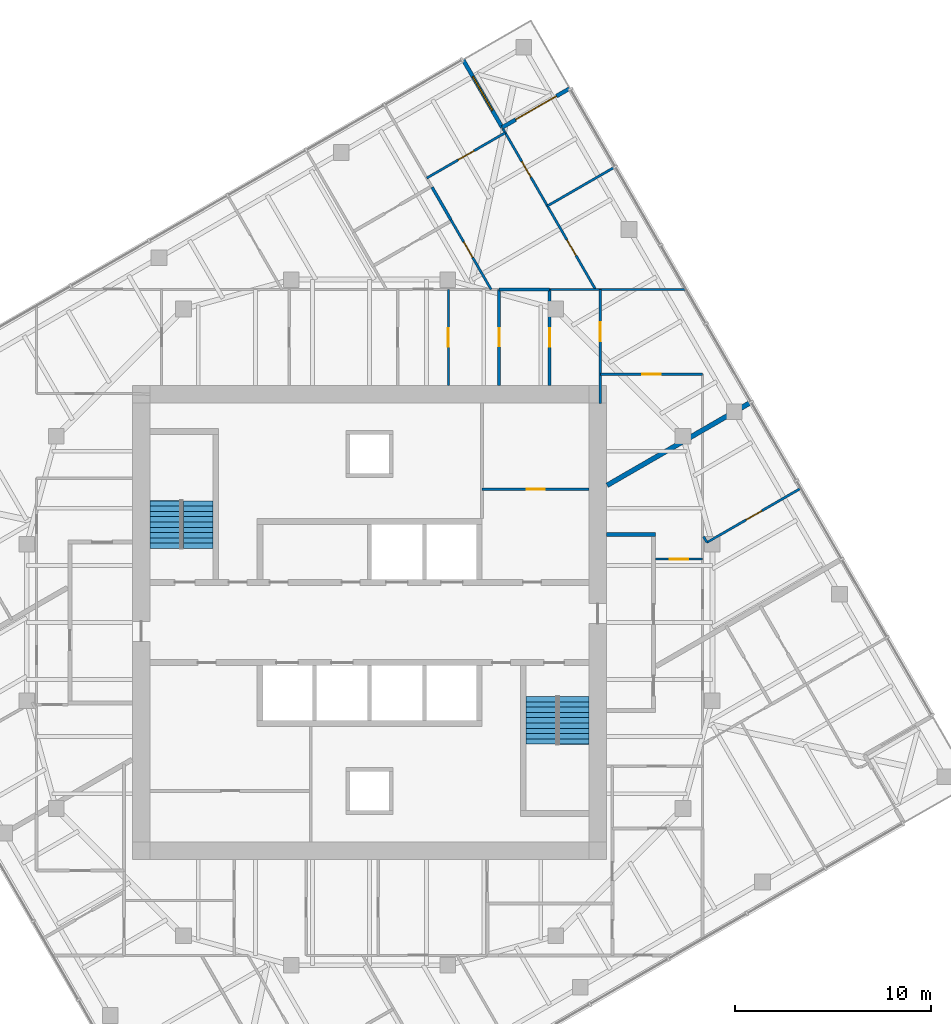
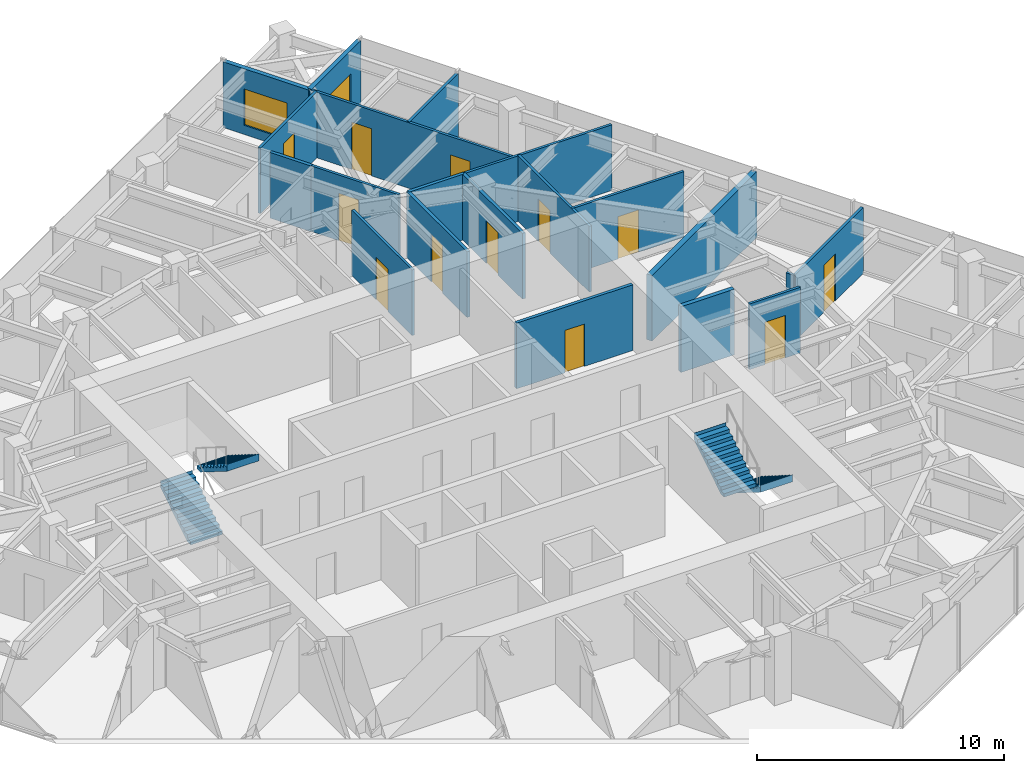
# One storey, part 11 of 12: 20 walls, 13 doors, 4 stair flights, 1 window, 14 openings, 2 elements without a shape of their own.
"""IFC4 building model written with IfcOpenShell, lengths in metres."""

from ifc_helpers import new_model, si_unit, direction, frame, frame_2d, origin, place, context, subcontext, project, spatial, polyline, rectangle, outline, extrude, material, layer, layer_set, type_object, element, fill, aggregate, save


model = new_model("IFC4")

# Units and contexts
model_context = context("Model", 3, precision=1e-05, world=origin(), true_north=direction((0.0, 1.0)))
body_context = subcontext(model_context, "Body", "Model", "MODEL_VIEW")
ifc_project = project(units=[si_unit("LENGTHUNIT", "METRE"), si_unit("AREAUNIT", "SQUARE_METRE"), si_unit("VOLUMEUNIT", "CUBIC_METRE"), si_unit("PLANEANGLEUNIT", "RADIAN"), si_unit("MASSUNIT", "GRAM", prefix="KILO")], contexts=[model_context])

# Site, building, storey
site_placement = place(None, origin())
site = spatial("IfcSite", under=ifc_project, at=site_placement, CompositionType="ELEMENT")
building_placement = place(site_placement, origin())
building = spatial("IfcBuilding", under=site, at=building_placement, Name="Torsade Residences", CompositionType="ELEMENT")
storey_placement = place(building_placement, frame((0.0, 0.0, 211.60009765625)))
storey = spatial("IfcBuildingStorey", under=building, at=storey_placement, Name="L58", CompositionType="ELEMENT", Elevation=211.60009765625)

# Wall
ifc_material_1 = material(Name="Plasterboard on steel stud", Category="steel")
ifc_layer_1 = layer(ifc_material_1, 0.199951171875)
ifc_layer_set_1 = layer_set([ifc_layer_1], Name="Plasterboard on steel stud")
wall_type_1 = type_object("IfcWallType", Name="CORRIDOR WALL 200", PredefinedType="PARTITIONING", material=ifc_layer_set_1)
wall_1_placement = place(storey_placement, frame((52.10009765625, 34.5, 0.0), z_axis=(0.0, 0.0, 1.0), x_axis=(1.0, 0.0, 0.0)))
element("IfcWall", 1, at=wall_1_placement, inside=storey, type_object=wall_type_1, Name="Corridor wall L58", PredefinedType="PARTITIONING", context=body_context, shape_type="SweptSolid", body=[
    extrude(rectangle(XDim=2.5, YDim=0.199951171875, at=frame_2d((1.25, 0.0))), origin(), (0.0, 0.0, 1.0), 3.25),
])

# Wall, opening, door
ifc_material_2 = material(Name="Plasterboard on steel stud", Category="steel")
ifc_layer_2 = layer(ifc_material_2, 0.1201171875)
ifc_layer_set_2 = layer_set([ifc_layer_2], Name="Plasterboard on steel stud")
wall_type_2 = type_object("IfcWallType", Name="PARTITION 120", PredefinedType="PARTITIONING", material=ifc_layer_set_2)
wall_2_placement = place(storey_placement, frame((54.60009765625, 33.237060546875, 0.0), z_axis=(0.0, 0.0, 1.0), x_axis=(1.0, 0.0, 0.0)))
wall_2 = element("IfcWall", 2, at=wall_2_placement, inside=storey, type_object=wall_type_2, Name="Partition L58", PredefinedType="PARTITIONING", context=body_context, shape_type="SweptSolid", body=[
    extrude(rectangle(XDim=2.39990234375, YDim=0.1201171875, at=frame_2d((1.199951171875, 0.0))), origin(), (0.0, 0.0, 1.0), 3.25),
])
opening_1_placement = place(wall_2_placement, frame((0.719970703125, 0.0, 0.0)))
opening_1 = element("IfcOpeningElement", 3, at=opening_1_placement, cuts=wall_2, Name="Opening D05", PredefinedType="OPENING", context=body_context, shape_type="SweptSolid", body=[
    extrude(rectangle(XDim=0.9599609375, YDim=2.10009765625, at=frame_2d((0.47998046875, 1.050048828125))), frame((0.0, 0.070068359375, 0.0), z_axis=(0.0, -1.0, 0.0), x_axis=(1.0, 0.0, 0.0)), (0.0, 0.0, 1.0), 0.14013671875),
])
ifc_material_3 = material(Name="Hollow-core timber door in a steel cavity frame", Category="steel")
door_type_1 = type_object("IfcDoorType", Name="BATHROOM CAVITY SLIDING DOOR 960", OperationType="SLIDING_TO_LEFT", PredefinedType="DOOR", material=ifc_material_3)
door_1_placement = place(opening_1_placement, origin())
door_1 = element("IfcDoor", 4, at=door_1_placement, inside=storey, type_object=door_type_1, Name="Door Kitchen and dining to Bathroom", OperationType="SLIDING_TO_LEFT", OverallHeight=2.10009765625, OverallWidth=0.9599609375, PredefinedType="DOOR", context=body_context, shape_type="SweptSolid", body=[
    extrude(rectangle(XDim=0.9599609375, YDim=2.10009765625, at=frame_2d((0.47998046875, 1.050048828125))), frame((0.0, 0.02490234375, 0.0), z_axis=(0.0, -1.0, 0.0), x_axis=(1.0, 0.0, 0.0)), (0.0, 0.0, 1.0), 0.050048828125),
])
fill(opening_1, door_1)

# Wall
wall_3_placement = place(storey_placement, frame((57.050048828125, 34.387939453125, 0.0), z_axis=(0.0, 0.0, 1.0), x_axis=(0.49996389635, -0.866046247233, 0.0)))
element("IfcWall", 5, at=wall_3_placement, inside=storey, type_object=wall_type_2, Name="Partition L58", PredefinedType="PARTITIONING", context=body_context, shape_type="SweptSolid", body=[
    extrude(rectangle(XDim=0.35009765625, YDim=0.1201171875, at=frame_2d((0.175048828125, 0.0))), origin(), (0.0, 0.0, 1.0), 3.25),
])

# Wall, opening, door
wall_4_placement = place(storey_placement, frame((57.22509765625, 34.084716796875, 0.0), z_axis=(0.0, 0.0, 1.0), x_axis=(0.866019274569, 0.500010615962, 0.0)))
wall_4 = element("IfcWall", 6, at=wall_4_placement, inside=storey, type_object=wall_type_2, Name="Partition L58", PredefinedType="PARTITIONING", context=body_context, shape_type="SweptSolid", body=[
    extrude(rectangle(XDim=5.50048828125, YDim=0.1201171875, at=frame_2d((2.750244140625, 0.0))), origin(), (0.0, 0.0, 1.0), 3.25),
])
opening_2_placement = place(wall_4_placement, frame((2.31005859375, 0.0, 0.0)))
opening_2 = element("IfcOpeningElement", 7, at=opening_2_placement, cuts=wall_4, Name="Opening D02", PredefinedType="OPENING", context=body_context, shape_type="SweptSolid", body=[
    extrude(rectangle(XDim=0.919921875, YDim=2.340087890625, at=frame_2d((0.4599609375, 1.169921875))), frame((0.0, 0.070068359375, 0.0), z_axis=(0.0, -1.0, 0.0), x_axis=(1.0, 0.0, 0.0)), (0.0, 0.0, 1.0), 0.14013671875),
])
ifc_material_4 = material(Name="Hollow-core timber door", Category="wood")
door_type_2 = type_object("IfcDoorType", Name="INTERNAL DOOR 920x2340", OperationType="NOTDEFINED", PredefinedType="DOOR", material=ifc_material_4)
door_2_placement = place(opening_2_placement, origin())
door_2 = element("IfcDoor", 8, at=door_2_placement, inside=storey, type_object=door_type_2, Name="Door Living room to Bedroom 1", OperationType="SINGLE_SWING_LEFT", OverallHeight=2.340087890625, OverallWidth=0.919921875, PredefinedType="DOOR", context=body_context, shape_type="SweptSolid", body=[
    extrude(rectangle(XDim=0.919921875, YDim=2.340087890625, at=frame_2d((0.4599609375, 1.169921875))), frame((0.0, 0.02490234375, 0.0), z_axis=(0.0, -1.0, 0.0), x_axis=(1.0, 0.0, 0.0)), (0.0, 0.0, 1.0), 0.050048828125),
])
fill(opening_2, door_2)

wall_5_placement = place(storey_placement, frame((51.78173828125, 42.67578125, 0.0), z_axis=(0.0, 0.0, 1.0), x_axis=(1.0, 0.0, 0.0)))
wall_5 = element("IfcWall", 9, at=wall_5_placement, inside=storey, type_object=wall_type_2, Name="Partition L58", PredefinedType="PARTITIONING", context=body_context, shape_type="SweptSolid", body=[
    extrude(rectangle(XDim=5.21826171875, YDim=0.1201171875, at=frame_2d((2.609130859375, 0.0))), origin(), (0.0, 0.0, 1.0), 3.25),
])
opening_3_placement = place(wall_5_placement, frame((2.129150390625, 0.0, 0.0)))
opening_3 = element("IfcOpeningElement", 10, at=opening_3_placement, cuts=wall_5, Name="Opening D05", PredefinedType="OPENING", context=body_context, shape_type="SweptSolid", body=[
    extrude(rectangle(XDim=0.9599609375, YDim=2.10009765625, at=frame_2d((0.47998046875, 1.050048828125))), frame((0.0, 0.070068359375, 0.0), z_axis=(0.0, -1.0, 0.0), x_axis=(1.0, 0.0, 0.0)), (0.0, 0.0, 1.0), 0.14013671875),
])
door_3_placement = place(opening_3_placement, origin())
door_3 = element("IfcDoor", 11, at=door_3_placement, inside=storey, type_object=door_type_1, Name="Door Dressing room to Bathroom", OperationType="SLIDING_TO_LEFT", OverallHeight=2.10009765625, OverallWidth=0.9599609375, PredefinedType="DOOR", context=body_context, shape_type="SweptSolid", body=[
    extrude(rectangle(XDim=0.9599609375, YDim=2.10009765625, at=frame_2d((0.47998046875, 1.050048828125))), frame((0.0, 0.02490234375, 0.0), z_axis=(0.0, -1.0, 0.0), x_axis=(1.0, 0.0, 0.0)), (0.0, 0.0, 1.0), 0.050048828125),
])
fill(opening_3, door_3)

wall_6_placement = place(storey_placement, frame((51.78173828125, 41.179931640625, 0.0), z_axis=(0.0, 0.0, 1.0), x_axis=(0.0, 1.0, 0.0)))
wall_6 = element("IfcWall", 12, at=wall_6_placement, inside=storey, type_object=wall_type_2, Name="Partition L58", PredefinedType="PARTITIONING", context=body_context, shape_type="SweptSolid", body=[
    extrude(rectangle(XDim=5.820068359375, YDim=0.1201171875, at=frame_2d((2.91015625, 0.0))), origin(), (0.0, 0.0, 1.0), 3.25),
])
opening_4_placement = place(wall_6_placement, frame((3.177978515625, 0.0, 0.0)))
opening_4 = element("IfcOpeningElement", 13, at=opening_4_placement, cuts=wall_6, Name="Opening D05", PredefinedType="OPENING", context=body_context, shape_type="SweptSolid", body=[
    extrude(rectangle(XDim=0.9599609375, YDim=2.10009765625, at=frame_2d((0.47998046875, 1.050048828125))), frame((0.0, 0.070068359375, 0.0), z_axis=(0.0, -1.0, 0.0), x_axis=(1.0, 0.0, 0.0)), (0.0, 0.0, 1.0), 0.14013671875),
])
door_4_placement = place(opening_4_placement, origin())
door_4 = element("IfcDoor", 14, at=door_4_placement, inside=storey, type_object=door_type_1, Name="Door WC to Dressing room", OperationType="SLIDING_TO_LEFT", OverallHeight=2.10009765625, OverallWidth=0.9599609375, PredefinedType="DOOR", context=body_context, shape_type="SweptSolid", body=[
    extrude(rectangle(XDim=0.9599609375, YDim=2.10009765625, at=frame_2d((0.47998046875, 1.050048828125))), frame((0.0, 0.02490234375, 0.0), z_axis=(0.0, -1.0, 0.0), x_axis=(1.0, 0.0, 0.0)), (0.0, 0.0, 1.0), 0.050048828125),
])
fill(opening_4, door_4)

# Wall
wall_7_placement = place(storey_placement, frame((49.197021484375, 47.0, 0.0), z_axis=(0.0, 0.0, 1.0), x_axis=(1.0, 0.0, 0.0)))
element("IfcWall", 15, at=wall_7_placement, inside=storey, type_object=wall_type_2, Name="Partition L58", PredefinedType="PARTITIONING", context=body_context, shape_type="SweptSolid", body=[
    extrude(rectangle(XDim=6.922607421875, YDim=0.1201171875, at=frame_2d((3.46142578125, 0.0))), origin(), (0.0, 0.0, 1.0), 3.25),
])

# Wall, opening, door
wall_8_placement = place(storey_placement, frame((44.027587890625, 47.0, 0.0), z_axis=(0.0, 0.0, 1.0), x_axis=(0.0, -1.0, 0.0)))
wall_8 = element("IfcWall", 16, at=wall_8_placement, inside=storey, type_object=wall_type_2, Name="Partition L58", PredefinedType="PARTITIONING", context=body_context, shape_type="SweptSolid", body=[
    extrude(rectangle(XDim=4.89990234375, YDim=0.1201171875, at=frame_2d((2.449951171875, 0.0))), origin(), (0.0, 0.0, 1.0), 3.25),
])
opening_5_placement = place(wall_8_placement, frame((1.969970703125, 0.0, 0.0)))
opening_5 = element("IfcOpeningElement", 17, at=opening_5_placement, cuts=wall_8, Name="Opening D05", PredefinedType="OPENING", context=body_context, shape_type="SweptSolid", body=[
    extrude(rectangle(XDim=0.9599609375, YDim=2.10009765625, at=frame_2d((0.47998046875, 1.050048828125))), frame((0.0, 0.070068359375, 0.0), z_axis=(0.0, -1.0, 0.0), x_axis=(1.0, 0.0, 0.0)), (0.0, 0.0, 1.0), 0.14013671875),
])
door_5_placement = place(opening_5_placement, origin())
door_5 = element("IfcDoor", 18, at=door_5_placement, inside=storey, type_object=door_type_1, Name="Door Ensuite to Dressing room 2", OperationType="SLIDING_TO_LEFT", OverallHeight=2.10009765625, OverallWidth=0.9599609375, PredefinedType="DOOR", context=body_context, shape_type="SweptSolid", body=[
    extrude(rectangle(XDim=0.9599609375, YDim=2.10009765625, at=frame_2d((0.47998046875, 1.050048828125))), frame((0.0, 0.02490234375, 0.0), z_axis=(0.0, -1.0, 0.0), x_axis=(1.0, 0.0, 0.0)), (0.0, 0.0, 1.0), 0.050048828125),
])
fill(opening_5, door_5)

# Wall, openings, doors
wall_9_placement = place(storey_placement, frame((46.79150390625, 55.23681640625, 0.0), z_axis=(0.0, 0.0, 1.0), x_axis=(0.49923620881, -0.866465929978, 0.0)))
wall_9 = element("IfcWall", 19, at=wall_9_placement, inside=storey, type_object=wall_type_2, Name="Partition L58", PredefinedType="PARTITIONING", context=body_context, shape_type="SweptSolid", body=[
    extrude(rectangle(XDim=9.506103515625, YDim=0.1201171875, at=frame_2d((4.7529296875, 0.0))), origin(), (0.0, 0.0, 1.0), 3.25),
])
opening_6_placement = place(wall_9_placement, frame((6.585693359375, 0.0, 0.0)))
opening_6 = element("IfcOpeningElement", 20, at=opening_6_placement, cuts=wall_9, Name="Opening D02", PredefinedType="OPENING", context=body_context, shape_type="SweptSolid", body=[
    extrude(rectangle(XDim=0.919921875, YDim=2.340087890625, at=frame_2d((0.4599609375, 1.169921875))), frame((0.0, 0.070068359375, 0.0), z_axis=(0.0, -1.0, 0.0), x_axis=(1.0, 0.0, 0.0)), (0.0, 0.0, 1.0), 0.14013671875),
])
opening_7_placement = place(wall_9_placement, frame((1.968994140625, 0.0, 0.0)))
opening_7 = element("IfcOpeningElement", 21, at=opening_7_placement, cuts=wall_9, Name="Opening D02", PredefinedType="OPENING", context=body_context, shape_type="SweptSolid", body=[
    extrude(rectangle(XDim=0.919921875, YDim=2.340087890625, at=frame_2d((0.4599609375, 1.169921875))), frame((0.0, 0.070068359375, 0.0), z_axis=(0.0, -1.0, 0.0), x_axis=(1.0, 0.0, 0.0)), (0.0, 0.0, 1.0), 0.14013671875),
])
door_6_placement = place(opening_6_placement, origin())
door_6 = element("IfcDoor", 22, at=door_6_placement, inside=storey, type_object=door_type_2, Name="Door Walk-in robe to Media room", OperationType="SINGLE_SWING_LEFT", OverallHeight=2.340087890625, OverallWidth=0.919921875, PredefinedType="DOOR", context=body_context, shape_type="SweptSolid", body=[
    extrude(rectangle(XDim=0.919921875, YDim=2.340087890625, at=frame_2d((0.4599609375, 1.169921875))), frame((0.0, 0.02490234375, 0.0), z_axis=(0.0, -1.0, 0.0), x_axis=(1.0, 0.0, 0.0)), (0.0, 0.0, 1.0), 0.050048828125),
])
fill(opening_6, door_6)
door_7_placement = place(opening_7_placement, origin())
door_7 = element("IfcDoor", 23, at=door_7_placement, inside=storey, type_object=door_type_2, Name="Door Walk-in robe to Family room 2", OperationType="SINGLE_SWING_RIGHT", OverallHeight=2.340087890625, OverallWidth=0.919921875, PredefinedType="DOOR", context=body_context, shape_type="SweptSolid", body=[
    extrude(rectangle(XDim=0.919921875, YDim=2.340087890625, at=frame_2d((0.4599609375, 1.169921875))), frame((0.0, 0.02490234375, 0.0), z_axis=(0.0, -1.0, 0.0), x_axis=(1.0, 0.0, 0.0)), (0.0, 0.0, 1.0), 0.050048828125),
])
fill(opening_7, door_7)

# Wall, opening, door
wall_10_placement = place(storey_placement, frame((46.20654296875, 47.0, 0.0), z_axis=(0.0, 0.0, 1.0), x_axis=(-0.499986975689, 0.866032923243, 0.0)))
wall_10 = element("IfcWall", 24, at=wall_10_placement, inside=storey, type_object=wall_type_2, Name="Partition L58", PredefinedType="PARTITIONING", context=body_context, shape_type="SweptSolid", body=[
    extrude(rectangle(XDim=4.10107421875, YDim=0.1201171875, at=frame_2d((2.050537109375, 0.0))), origin(), (0.0, 0.0, 1.0), 3.25),
])
opening_8_placement = place(wall_10_placement, frame((1.890625, 0.0, 0.0)))
opening_8 = element("IfcOpeningElement", 25, at=opening_8_placement, cuts=wall_10, Name="Opening D02", PredefinedType="OPENING", context=body_context, shape_type="SweptSolid", body=[
    extrude(rectangle(XDim=0.919921875, YDim=2.340087890625, at=frame_2d((0.4599609375, 1.169921875))), frame((0.0, 0.070068359375, 0.0), z_axis=(0.0, -1.0, 0.0), x_axis=(1.0, 0.0, 0.0)), (0.0, 0.0, 1.0), 0.14013671875),
])
door_8_placement = place(opening_8_placement, origin())
door_8 = element("IfcDoor", 26, at=door_8_placement, inside=storey, type_object=door_type_2, Name="Door Walk-in robe 2 to Walk-in robe", OperationType="SINGLE_SWING_RIGHT", OverallHeight=2.340087890625, OverallWidth=0.919921875, PredefinedType="DOOR", context=body_context, shape_type="SweptSolid", body=[
    extrude(rectangle(XDim=0.919921875, YDim=2.340087890625, at=frame_2d((0.4599609375, 1.169921875))), frame((0.0, 0.02490234375, 0.0), z_axis=(0.0, -1.0, 0.0), x_axis=(1.0, 0.0, 0.0)), (0.0, 0.0, 1.0), 0.050048828125),
])
fill(opening_8, door_8)

wall_11_placement = place(storey_placement, frame((42.92236328125, 52.688232421875, 0.0), z_axis=(0.0, 0.0, 1.0), x_axis=(0.866025598446, 0.499999662836, 0.0)))
wall_11 = element("IfcWall", 27, at=wall_11_placement, inside=storey, type_object=wall_type_2, Name="Partition L58", PredefinedType="PARTITIONING", context=body_context, shape_type="SweptSolid", body=[
    extrude(rectangle(XDim=4.625, YDim=0.1201171875, at=frame_2d((2.3125, 0.0))), origin(), (0.0, 0.0, 1.0), 3.25),
])
opening_9_placement = place(wall_11_placement, frame((1.8525390625, 0.0, 0.0)))
opening_9 = element("IfcOpeningElement", 28, at=opening_9_placement, cuts=wall_11, Name="Opening D02", PredefinedType="OPENING", context=body_context, shape_type="SweptSolid", body=[
    extrude(rectangle(XDim=0.919921875, YDim=2.340087890625, at=frame_2d((0.4599609375, 1.169921875))), frame((0.0, 0.070068359375, 0.0), z_axis=(0.0, -1.0, 0.0), x_axis=(1.0, 0.0, 0.0)), (0.0, 0.0, 1.0), 0.14013671875),
])
door_9_placement = place(opening_9_placement, origin())
door_9 = element("IfcDoor", 29, at=door_9_placement, inside=storey, type_object=door_type_2, Name="Door Walk-in robe to Study 2", OperationType="SINGLE_SWING_RIGHT", OverallHeight=2.340087890625, OverallWidth=0.919921875, PredefinedType="DOOR", context=body_context, shape_type="SweptSolid", body=[
    extrude(rectangle(XDim=0.919921875, YDim=2.340087890625, at=frame_2d((0.4599609375, 1.169921875))), frame((0.0, 0.02490234375, 0.0), z_axis=(0.0, -1.0, 0.0), x_axis=(1.0, 0.0, 0.0)), (0.0, 0.0, 1.0), 0.050048828125),
])
fill(opening_9, door_9)

# Walls
wall_12_placement = place(storey_placement, frame((49.076904296875, 51.26171875, 0.0), z_axis=(0.0, 0.0, 1.0), x_axis=(0.865992964694, 0.500056181943, 0.0)))
element("IfcWall", 30, at=wall_12_placement, inside=storey, type_object=wall_type_2, Name="Partition L58", PredefinedType="PARTITIONING", context=body_context, shape_type="SweptSolid", body=[
    extrude(rectangle(XDim=3.96826171875, YDim=0.1201171875, at=frame_2d((1.984130859375, 0.0))), origin(), (0.0, 0.0, 1.0), 3.25),
])
ifc_material_5 = material(Name="Masonry-lined stud party wall", Category="masonry")
ifc_layer_3 = layer(ifc_material_5, 0.25)
ifc_layer_set_3 = layer_set([ifc_layer_3], Name="Masonry-lined stud party wall")
wall_type_3 = type_object("IfcWallType", Name="PARTY WALL 250", PredefinedType="PARTITIONING", material=ifc_layer_set_3)
wall_13_placement = place(storey_placement, frame((59.485595703125, 41.25, 0.0), z_axis=(0.0, 0.0, 1.0), x_axis=(-0.866020489494, -0.500008511703, 0.0)))
element("IfcWall", 31, at=wall_13_placement, inside=storey, type_object=wall_type_3, Name="Party wall L58", PredefinedType="PARTITIONING", context=body_context, shape_type="SweptSolid", body=[
    extrude(rectangle(XDim=8.495849609375, YDim=0.25, at=frame_2d((4.248046875, 0.0))), origin(), (0.0, 0.0, 1.0), 3.25),
])

# Wall, opening, door
ifc_material_6 = material(Name="Reinforced blockwork", Category="masonry")
ifc_layer_4 = layer(ifc_material_6, 0.14990234375)
ifc_layer_set_4 = layer_set([ifc_layer_4], Name="Reinforced blockwork")
wall_type_4 = type_object("IfcWallType", Name="SERVICE ROOM WALL 150", PredefinedType="SOLIDWALL", material=ifc_layer_set_4)
wall_14_placement = place(storey_placement, frame((45.75, 36.800048828125, 0.0), z_axis=(0.0, 0.0, 1.0), x_axis=(1.0, 0.0, 0.0)))
wall_14 = element("IfcWall", 32, at=wall_14_placement, inside=storey, type_object=wall_type_4, Name="Service room wall L58", PredefinedType="SOLIDWALL", context=body_context, shape_type="SweptSolid", body=[
    extrude(rectangle(XDim=5.449951171875, YDim=0.14990234375, at=frame_2d((2.72509765625, 0.0))), origin(), (0.0, 0.0, 1.0), 3.25),
])
opening_10_placement = place(wall_14_placement, frame((2.264892578125, 0.0, 0.0)))
opening_10 = element("IfcOpeningElement", 33, at=opening_10_placement, cuts=wall_14, Name="Opening D06", PredefinedType="OPENING", context=body_context, shape_type="SweptSolid", body=[
    extrude(rectangle(XDim=0.919921875, YDim=2.10009765625, at=frame_2d((0.4599609375, 1.050048828125))), frame((0.0, 0.0849609375, 0.0), z_axis=(0.0, -1.0, 0.0), x_axis=(1.0, 0.0, 0.0)), (0.0, 0.0, 1.0), 0.169921875),
])
ifc_material_7 = material(Name="Steel-framed fire door", Category="steel")
door_type_3 = type_object("IfcDoorType", Name="FIRE DOOR 920", OperationType="NOTDEFINED", PredefinedType="DOOR", material=ifc_material_7)
door_10_placement = place(opening_10_placement, origin())
door_10 = element("IfcDoor", 34, at=door_10_placement, inside=storey, type_object=door_type_3, Name="Door Refuse room to Bulky waste store", OperationType="SINGLE_SWING_LEFT", OverallHeight=2.10009765625, OverallWidth=0.919921875, PredefinedType="DOOR", context=body_context, shape_type="SweptSolid", body=[
    extrude(rectangle(XDim=0.919921875, YDim=2.10009765625, at=frame_2d((0.4599609375, 1.050048828125))), frame((0.0, 0.02490234375, 0.0), z_axis=(0.0, -1.0, 0.0), x_axis=(1.0, 0.0, 0.0)), (0.0, 0.0, 1.0), 0.050048828125),
])
fill(opening_10, door_10)

wall_15_placement = place(storey_placement, frame((46.6123046875, 47.0, 0.0), z_axis=(0.0, 0.0, 1.0), x_axis=(0.0, -1.0, 0.0)))
wall_15 = element("IfcWall", 35, at=wall_15_placement, inside=storey, type_object=wall_type_4, Name="Service room wall L58", PredefinedType="SOLIDWALL", context=body_context, shape_type="SweptSolid", body=[
    extrude(rectangle(XDim=4.89990234375, YDim=0.14990234375, at=frame_2d((2.449951171875, 0.0))), origin(), (0.0, 0.0, 1.0), 3.25),
])
opening_11_placement = place(wall_15_placement, frame((1.989990234375, 0.0, 0.0)))
opening_11 = element("IfcOpeningElement", 36, at=opening_11_placement, cuts=wall_15, Name="Opening D02", PredefinedType="OPENING", context=body_context, shape_type="SweptSolid", body=[
    extrude(rectangle(XDim=0.919921875, YDim=2.340087890625, at=frame_2d((0.4599609375, 1.169921875))), frame((0.0, 0.0849609375, 0.0), z_axis=(0.0, -1.0, 0.0), x_axis=(1.0, 0.0, 0.0)), (0.0, 0.0, 1.0), 0.169921875),
])
door_11_placement = place(opening_11_placement, origin())
door_11 = element("IfcDoor", 37, at=door_11_placement, inside=storey, type_object=door_type_2, Name="Door Dressing room 2 to Linen store", OperationType="SINGLE_SWING_LEFT", OverallHeight=2.340087890625, OverallWidth=0.919921875, PredefinedType="DOOR", context=body_context, shape_type="SweptSolid", body=[
    extrude(rectangle(XDim=0.919921875, YDim=2.340087890625, at=frame_2d((0.4599609375, 1.169921875))), frame((0.0, 0.02490234375, 0.0), z_axis=(0.0, -1.0, 0.0), x_axis=(1.0, 0.0, 0.0)), (0.0, 0.0, 1.0), 0.050048828125),
])
fill(opening_11, door_11)

wall_16_placement = place(storey_placement, frame((49.197021484375, 42.10009765625, 0.0), z_axis=(0.0, 0.0, 1.0), x_axis=(0.0, 1.0, 0.0)))
wall_16 = element("IfcWall", 38, at=wall_16_placement, inside=storey, type_object=wall_type_4, Name="Service room wall L58", PredefinedType="SOLIDWALL", context=body_context, shape_type="SweptSolid", body=[
    extrude(rectangle(XDim=4.89990234375, YDim=0.14990234375, at=frame_2d((2.449951171875, 0.0))), origin(), (0.0, 0.0, 1.0), 3.25),
])
opening_12_placement = place(wall_16_placement, frame((1.969970703125, 0.0, 0.0)))
opening_12 = element("IfcOpeningElement", 39, at=opening_12_placement, cuts=wall_16, Name="Opening D05", PredefinedType="OPENING", context=body_context, shape_type="SweptSolid", body=[
    extrude(rectangle(XDim=0.9599609375, YDim=2.10009765625, at=frame_2d((0.47998046875, 1.050048828125))), frame((0.0, 0.0849609375, 0.0), z_axis=(0.0, -1.0, 0.0), x_axis=(1.0, 0.0, 0.0)), (0.0, 0.0, 1.0), 0.169921875),
])
door_12_placement = place(opening_12_placement, origin())
door_12 = element("IfcDoor", 40, at=door_12_placement, inside=storey, type_object=door_type_1, Name="Door Linen store to WC", OperationType="SLIDING_TO_LEFT", OverallHeight=2.10009765625, OverallWidth=0.9599609375, PredefinedType="DOOR", context=body_context, shape_type="SweptSolid", body=[
    extrude(rectangle(XDim=0.9599609375, YDim=2.10009765625, at=frame_2d((0.47998046875, 1.050048828125))), frame((0.0, 0.02490234375, 0.0), z_axis=(0.0, -1.0, 0.0), x_axis=(1.0, 0.0, 0.0)), (0.0, 0.0, 1.0), 0.050048828125),
])
fill(opening_12, door_12)

# Walls
wall_17_placement = place(storey_placement, frame((46.6123046875, 47.0, 0.0), z_axis=(0.0, 0.0, 1.0), x_axis=(1.0, 0.0, 0.0)))
element("IfcWall", 41, at=wall_17_placement, inside=storey, type_object=wall_type_4, Name="Service room wall L58", PredefinedType="SOLIDWALL", context=body_context, shape_type="SweptSolid", body=[
    extrude(rectangle(XDim=2.584716796875, YDim=0.14990234375, at=frame_2d((1.29248046875, 0.0))), origin(), (0.0, 0.0, 1.0), 3.25),
])
wall_18_placement = place(storey_placement, frame((44.156005859375, 50.5517578125, 0.0), z_axis=(0.0, 0.0, 1.0), x_axis=(-0.50001143954, 0.866018799062, 0.0)))
element("IfcWall", 42, at=wall_18_placement, inside=storey, type_object=wall_type_4, Name="Service room wall L58", PredefinedType="SOLIDWALL", context=body_context, shape_type="SweptSolid", body=[
    extrude(rectangle(XDim=1.92578125, YDim=0.14990234375, at=frame_2d((0.962890625, 0.0))), origin(), (0.0, 0.0, 1.0), 3.25),
])

# Wall, opening, door
ifc_material_8 = material(Name="Stone-faced precast concrete 40 MPa panel", Category="masonry")
ifc_layer_5 = layer(ifc_material_8, 0.199951171875)
ifc_layer_set_5 = layer_set([ifc_layer_5], Name="Stone-faced precast concrete 40 MPa panel")
wall_type_5 = type_object("IfcWallType", Name="TERRACE WALL 200", PredefinedType="SOLIDWALL", material=ifc_layer_set_5)
wall_19_placement = place(storey_placement, frame((50.235595703125, 57.271484375, 0.0), z_axis=(0.0, 0.0, 1.0), x_axis=(-0.866026010844, -0.49999894854, 0.0)))
wall_19 = element("IfcWall", 43, at=wall_19_placement, inside=storey, type_object=wall_type_5, Name="Terrace wall L58 5", PredefinedType="SOLIDWALL", context=body_context, shape_type="SweptSolid", body=[
    extrude(rectangle(XDim=4.0, YDim=0.199951171875, at=frame_2d((2.0, 0.0))), origin(), (0.0, 0.0, 1.0), 3.25),
])
opening_13_placement = place(wall_19_placement, frame((0.800048828125, 0.0, 0.0)))
opening_13 = element("IfcOpeningElement", 44, at=opening_13_placement, cuts=wall_19, Name="Opening D10A", PredefinedType="OPENING", context=body_context, shape_type="SweptSolid", body=[
    extrude(rectangle(XDim=2.39990234375, YDim=2.10009765625, at=frame_2d((1.199951171875, 1.050048828125))), frame((0.0, 0.10986328125, 0.0), z_axis=(0.0, -1.0, 0.0), x_axis=(1.0, 0.0, 0.0)), (0.0, 0.0, 1.0), 0.219970703125),
])
ifc_material_9 = material(Name="Aluminium-framed glass door", Category="aluminium")
door_type_4 = type_object("IfcDoorType", Name="TERRACE SLIDING DOOR 2400x2100", OperationType="SLIDING_TO_LEFT", PredefinedType="DOOR", material=ifc_material_9)
door_13_placement = place(opening_13_placement, origin())
door_13 = element("IfcDoor", 45, at=door_13_placement, inside=storey, type_object=door_type_4, Name="Terrace door L58 5", OperationType="SLIDING_TO_LEFT", OverallHeight=2.10009765625, OverallWidth=2.39990234375, PredefinedType="DOOR", context=body_context, shape_type="SweptSolid", body=[
    extrude(rectangle(XDim=2.39990234375, YDim=2.10009765625, at=frame_2d((1.199951171875, 1.050048828125))), frame((0.0, 0.02490234375, 0.0), z_axis=(0.0, -1.0, 0.0), x_axis=(1.0, 0.0, 0.0)), (0.0, 0.0, 1.0), 0.050048828125),
])
fill(opening_13, door_13)

# Wall, opening, window
wall_20_placement = place(storey_placement, frame((46.771484375, 55.271484375, 0.0), z_axis=(0.0, 0.0, 1.0), x_axis=(-0.49999894854, 0.866026010844, 0.0)))
wall_20 = element("IfcWall", 46, at=wall_20_placement, inside=storey, type_object=wall_type_5, Name="Terrace wall L58 6", PredefinedType="SOLIDWALL", context=body_context, shape_type="SweptSolid", body=[
    extrude(rectangle(XDim=4.0, YDim=0.199951171875, at=frame_2d((2.0, 0.0))), origin(), (0.0, 0.0, 1.0), 3.25),
])
opening_14_placement = place(wall_20_placement, frame((1.0, 0.0, 0.449951171875)))
opening_14 = element("IfcOpeningElement", 47, at=opening_14_placement, cuts=wall_20, Name="Opening W1B", PredefinedType="OPENING", context=body_context, shape_type="SweptSolid", body=[
    extrude(rectangle(XDim=2.0, YDim=1.800048828125, at=frame_2d((1.0, 0.89990234375))), frame((0.0, 0.10986328125, 0.0), z_axis=(0.0, -1.0, 0.0), x_axis=(1.0, 0.0, 0.0)), (0.0, 0.0, 1.0), 0.219970703125),
])
ifc_material_10 = material(Name="Aluminium-framed glass window", Category="aluminium")
window_type = type_object("IfcWindowType", Name="TERRACE WINDOW 2000x1800", PartitioningType="SINGLE_PANEL", PredefinedType="WINDOW", material=ifc_material_10)
window_placement = place(opening_14_placement, origin())
window = element("IfcWindow", 48, at=window_placement, inside=storey, type_object=window_type, Name="Terrace window L58 6", OverallHeight=1.800048828125, OverallWidth=2.0, PartitioningType="SINGLE_PANEL", PredefinedType="WINDOW", context=body_context, shape_type="SweptSolid", body=[
    extrude(rectangle(XDim=2.0, YDim=1.800048828125, at=frame_2d((1.0, 0.89990234375))), frame((0.0, 0.030029296875, 0.0), z_axis=(0.0, -1.0, 0.0), x_axis=(1.0, 0.0, 0.0)), (0.0, 0.0, 1.0), 0.06005859375),
])
fill(opening_14, window)

# Stair, stair flights
ifc_material_11 = material(Name="Precast concrete 40 MPa", Category="concrete")
stair_type = type_object("IfcStairType", Name="HALF-TURN FIRE STAIR 1500x3400", PredefinedType="HALF_TURN_STAIR", material=ifc_material_11)
stair_1_placement = place(storey_placement, origin())
stair_1 = element("IfcStair", 49, at=stair_1_placement, inside=storey, type_object=stair_type, Name="Stair ST1 L58", PredefinedType="HALF_TURN_STAIR")
ifc_material_12 = material(Name="Precast concrete 40 MPa", Category="concrete")
stair_flight_type = type_object("IfcStairFlightType", Name="PRECAST STAIR FLIGHT 1500x1700", PredefinedType="STRAIGHT", material=ifc_material_12)
stair_flight_1_placement = place(storey_placement, frame((29.550048828125, 33.780029296875, 0.0), z_axis=(0.0, 0.0, 1.0), x_axis=(0.0, 1.0, 0.0)))
stair_flight_1 = element("IfcStairFlight", 50, at=stair_flight_1_placement, type_object=stair_flight_type, Name="ST1 flight 1", NumberOfRisers=10, NumberOfTreads=9, PredefinedType="STRAIGHT", RiserHeight=0.17, TreadLength=0.27, context=body_context, shape_type="SweptSolid", body=[
    extrude(outline(polyline([(0.0, 0.0), (0.0, 0.169921875), (0.27001953125, 0.169921875), (0.27001953125, 0.340087890625), (0.5400390625, 0.340087890625), (0.5400390625, 0.510009765625), (0.81005859375, 0.510009765625), (0.81005859375, 0.679931640625), (1.080078125, 0.679931640625), (1.080078125, 0.85009765625), (1.35009765625, 0.85009765625), (1.35009765625, 1.02001953125), (1.6201171875, 1.02001953125), (1.6201171875, 1.18994140625), (1.889892578125, 1.18994140625), (1.889892578125, 1.360107421875), (2.159912109375, 1.360107421875), (2.159912109375, 1.530029296875), (2.429931640625, 1.530029296875), (2.429931640625, 1.699951171875), (2.43994140625, 1.699951171875), (2.43994140625, 1.352783203125), (2.429931640625, 1.352783203125), (0.28125, 0.0), (0.0, 0.0)])), frame((0.0, 0.75, 0.0), z_axis=(0.0, -1.0, 0.0), x_axis=(1.0, 0.0, 0.0)), (0.0, 0.0, 1.0), 1.5),
])
stair_flight_2_placement = place(storey_placement, frame((31.25, 36.2099609375, 1.699951171875), z_axis=(0.0, 0.0, 1.0), x_axis=(0.0, -1.0, 0.0)))
stair_flight_2 = element("IfcStairFlight", 51, at=stair_flight_2_placement, type_object=stair_flight_type, Name="ST1 flight 2", NumberOfRisers=10, NumberOfTreads=9, PredefinedType="STRAIGHT", RiserHeight=0.17, TreadLength=0.27, context=body_context, shape_type="SweptSolid", body=[
    extrude(outline(polyline([(0.0, 0.0), (0.0, 0.169921875), (0.27001953125, 0.169921875), (0.27001953125, 0.340087890625), (0.5400390625, 0.340087890625), (0.5400390625, 0.510009765625), (0.81005859375, 0.510009765625), (0.81005859375, 0.679931640625), (1.080078125, 0.679931640625), (1.080078125, 0.85009765625), (1.35009765625, 0.85009765625), (1.35009765625, 1.02001953125), (1.6201171875, 1.02001953125), (1.6201171875, 1.18994140625), (1.889892578125, 1.18994140625), (1.889892578125, 1.360107421875), (2.159912109375, 1.360107421875), (2.159912109375, 1.530029296875), (2.429931640625, 1.530029296875), (2.429931640625, 1.699951171875), (2.43994140625, 1.699951171875), (2.43994140625, 1.352783203125), (2.429931640625, 1.352783203125), (0.28125, 0.0), (0.0, 0.0)])), frame((0.0, 0.75, 0.0), z_axis=(0.0, -1.0, 0.0), x_axis=(1.0, 0.0, 0.0)), (0.0, 0.0, 1.0), 1.5),
])
aggregate(stair_1, [stair_flight_1, stair_flight_2])

stair_2_placement = place(storey_placement, origin())
stair_2 = element("IfcStair", 52, at=stair_2_placement, inside=storey, type_object=stair_type, Name="Stair ST2 L58", PredefinedType="HALF_TURN_STAIR")
stair_flight_3_placement = place(storey_placement, frame((50.449951171875, 26.219970703125, 0.0), z_axis=(0.0, 0.0, 1.0), x_axis=(0.0, -1.0, 0.0)))
stair_flight_3 = element("IfcStairFlight", 53, at=stair_flight_3_placement, type_object=stair_flight_type, Name="ST2 flight 1", NumberOfRisers=10, NumberOfTreads=9, PredefinedType="STRAIGHT", RiserHeight=0.17, TreadLength=0.27, context=body_context, shape_type="SweptSolid", body=[
    extrude(outline(polyline([(0.0, 0.0), (0.0, 0.169921875), (0.27001953125, 0.169921875), (0.27001953125, 0.340087890625), (0.5400390625, 0.340087890625), (0.5400390625, 0.510009765625), (0.81005859375, 0.510009765625), (0.81005859375, 0.679931640625), (1.080078125, 0.679931640625), (1.080078125, 0.85009765625), (1.35009765625, 0.85009765625), (1.35009765625, 1.02001953125), (1.6201171875, 1.02001953125), (1.6201171875, 1.18994140625), (1.889892578125, 1.18994140625), (1.889892578125, 1.360107421875), (2.159912109375, 1.360107421875), (2.159912109375, 1.530029296875), (2.429931640625, 1.530029296875), (2.429931640625, 1.699951171875), (2.43994140625, 1.699951171875), (2.43994140625, 1.352783203125), (2.429931640625, 1.352783203125), (0.28125, 0.0), (0.0, 0.0)])), frame((0.0, 0.75, 0.0), z_axis=(0.0, -1.0, 0.0), x_axis=(1.0, 0.0, 0.0)), (0.0, 0.0, 1.0), 1.5),
])
stair_flight_4_placement = place(storey_placement, frame((48.75, 23.7900390625, 1.699951171875), z_axis=(0.0, 0.0, 1.0), x_axis=(0.0, 1.0, 0.0)))
stair_flight_4 = element("IfcStairFlight", 54, at=stair_flight_4_placement, type_object=stair_flight_type, Name="ST2 flight 2", NumberOfRisers=10, NumberOfTreads=9, PredefinedType="STRAIGHT", RiserHeight=0.17, TreadLength=0.27, context=body_context, shape_type="SweptSolid", body=[
    extrude(outline(polyline([(0.0, 0.0), (0.0, 0.169921875), (0.27001953125, 0.169921875), (0.27001953125, 0.340087890625), (0.5400390625, 0.340087890625), (0.5400390625, 0.510009765625), (0.81005859375, 0.510009765625), (0.81005859375, 0.679931640625), (1.080078125, 0.679931640625), (1.080078125, 0.85009765625), (1.35009765625, 0.85009765625), (1.35009765625, 1.02001953125), (1.6201171875, 1.02001953125), (1.6201171875, 1.18994140625), (1.889892578125, 1.18994140625), (1.889892578125, 1.360107421875), (2.159912109375, 1.360107421875), (2.159912109375, 1.530029296875), (2.429931640625, 1.530029296875), (2.429931640625, 1.699951171875), (2.43994140625, 1.699951171875), (2.43994140625, 1.352783203125), (2.429931640625, 1.352783203125), (0.28125, 0.0), (0.0, 0.0)])), frame((0.0, 0.75, 0.0), z_axis=(0.0, -1.0, 0.0), x_axis=(1.0, 0.0, 0.0)), (0.0, 0.0, 1.0), 1.5),
])
aggregate(stair_2, [stair_flight_3, stair_flight_4])

save(model, "model.ifc")
